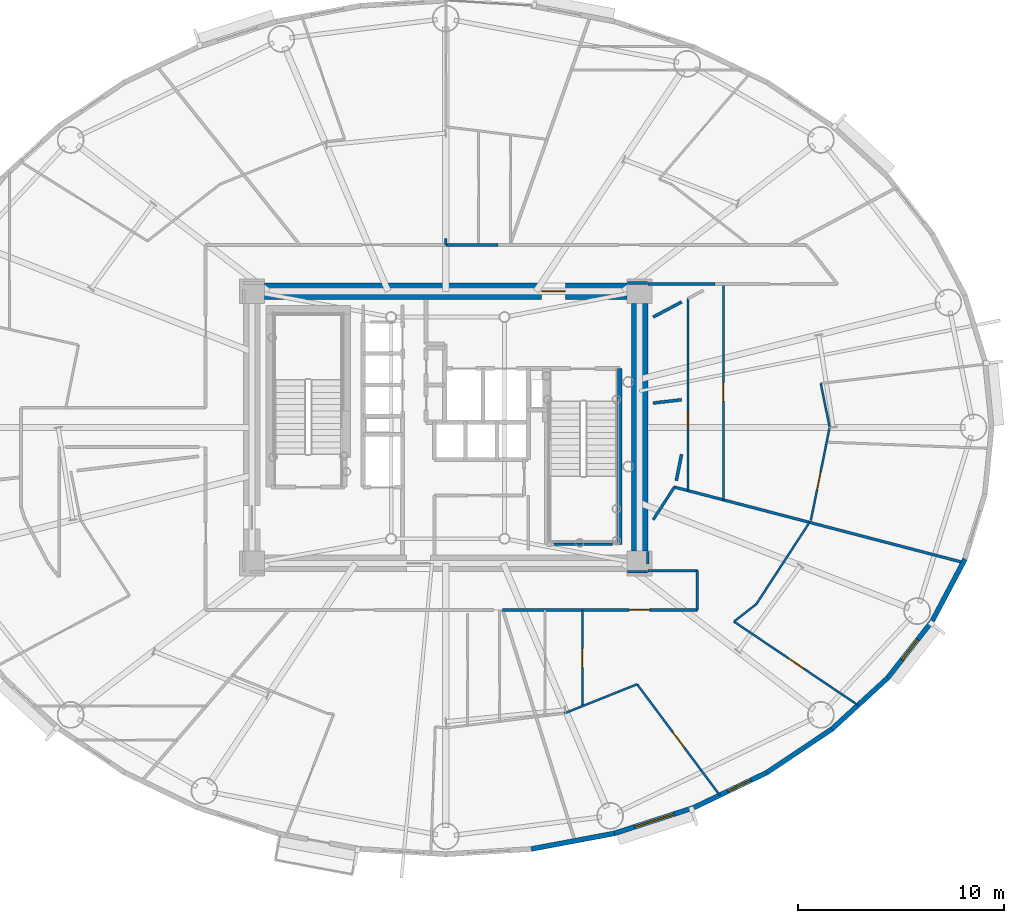
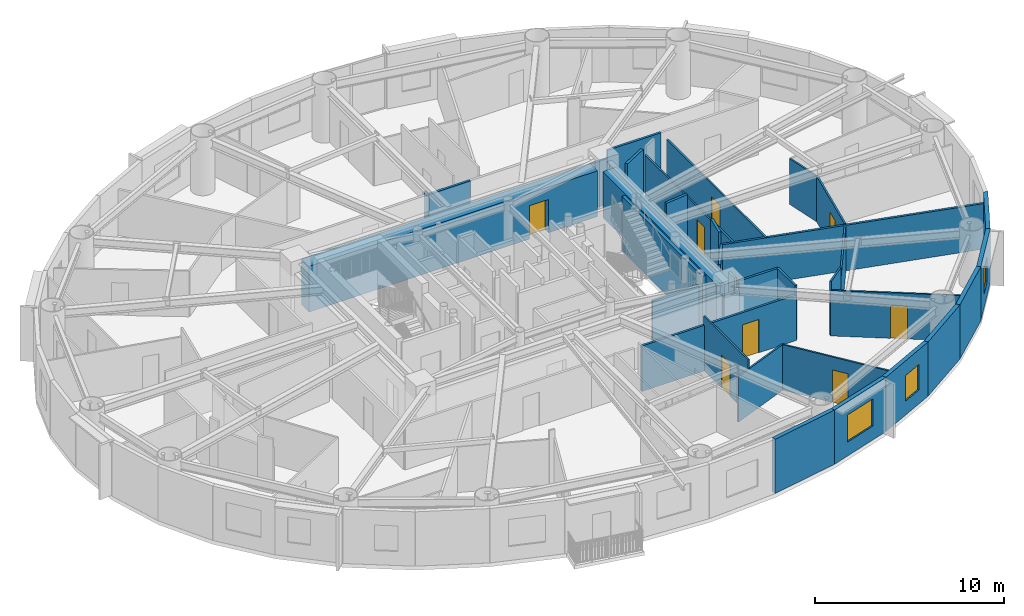
# One storey, part 11 of 19: 35 walls, 8 doors, 3 windows, 11 openings.
"""IFC4 building model written with IfcOpenShell, lengths in metres."""

import ifcopenshell
import ifcopenshell.guid

model = None  # the IFC model being written
_history = None  # IfcOwnerHistory: only IFC2X3 demands one
_inside = {}  # id of a spatial element -> (the spatial element, [elements in it])
_under = {}  # id of a project, library or spatial element -> (it, [spatial elements below it])
_declared = {}  # id of a project -> (the project, [libraries it declares])
_typed = {}  # id of a type object -> (the type object, [elements of that type])
_made_of = {}  # id of a material, layer set ... -> (it, [elements and type objects made of it])


def new_model(schema):
    """Start an empty IFC model of exactly this schema.

    Asked for "IFC4X3", IfcOpenShell would pick the latest addendum, in which some entities
    have other attributes; the version numbers below select the first issue.
    IFC2X3 requires an IfcOwnerHistory on every rooted entity: one is made here for all.
    """
    global model, _history
    if schema == "IFC4X3":
        model = ifcopenshell.file(schema_version=(4, 3, 0, 0))
    else:
        model = ifcopenshell.file(schema=schema)
    _inside.clear()
    _under.clear()
    _declared.clear()
    _typed.clear()
    _made_of.clear()
    _history = None
    if model.schema == "IFC2X3":
        org = make("IfcOrganization", Name="unknown")
        user = make(
            "IfcPersonAndOrganization",
            ThePerson=make("IfcPerson", FamilyName="unknown"),
            TheOrganization=org,
        )
        app = make(
            "IfcApplication",
            ApplicationDeveloper=org,
            Version="unknown",
            ApplicationFullName="unknown",
            ApplicationIdentifier="unknown",
        )
        _history = make(
            "IfcOwnerHistory",
            OwningUser=user,
            OwningApplication=app,
            ChangeAction="ADDED",
            CreationDate=0,
        )
    return model


def make(cls, **values):
    """One entity of the class cls with the attributes given. An attribute that is None is left unset."""
    return model.create_entity(
        cls, **{name: value for name, value in values.items() if value is not None}
    )


def rooted(cls, **values):
    """An entity with a GlobalId (a new one), such as an element, a storey or a relation."""
    return make(cls, GlobalId=ifcopenshell.guid.new(), OwnerHistory=_history, **values)


def si_unit(unit_type, name, prefix=None):
    """IfcSIUnit, for example si_unit("LENGTHUNIT", "METRE", prefix="MILLI")."""
    return make("IfcSIUnit", UnitType=unit_type, Prefix=prefix, Name=name)


def assignment(units):
    """IfcUnitAssignment: the units of a project."""
    return None if units is None else make("IfcUnitAssignment", Units=units)


def point(xyz):
    """IfcCartesianPoint."""
    return None if xyz is None else make("IfcCartesianPoint", Coordinates=xyz)


def direction(xyz):
    """IfcDirection."""
    return None if xyz is None else make("IfcDirection", DirectionRatios=xyz)


def frame(location, z_axis=None, x_axis=None):
    """IfcAxis2Placement3D, a coordinate frame: its origin and axes. An axis left out is left unset."""
    return make(
        "IfcAxis2Placement3D",
        Location=point(location),
        Axis=direction(z_axis),
        RefDirection=direction(x_axis),
    )


def frame_2d(location, x_axis=None):
    """IfcAxis2Placement2D, a coordinate frame in the plane: its origin and x axis."""
    return make(
        "IfcAxis2Placement2D", Location=point(location), RefDirection=direction(x_axis)
    )


def origin():
    """The frame at (0, 0, 0) with its axes left unset."""
    return frame((0.0, 0.0, 0.0))


def origin_2d():
    """The frame at (0, 0) in the plane with its x axis left unset."""
    return frame_2d((0.0, 0.0))


def place(relative_to, where):
    """IfcLocalPlacement: puts the frame where relative to a parent placement (None: the world)."""
    return make(
        "IfcLocalPlacement", PlacementRelTo=relative_to, RelativePlacement=where
    )


def context(
    kind, dimensions, precision=None, world=None, true_north=None, identifier=None
):
    """IfcGeometricRepresentationContext, for example the 3D "Model" context."""
    return make(
        "IfcGeometricRepresentationContext",
        ContextIdentifier=identifier,
        ContextType=kind,
        CoordinateSpaceDimension=dimensions,
        Precision=precision,
        WorldCoordinateSystem=world,
        TrueNorth=true_north,
    )


def subcontext(parent, identifier, kind, view, scale=None):
    """IfcGeometricRepresentationSubContext, for example "Body" below "Model"."""
    return make(
        "IfcGeometricRepresentationSubContext",
        ContextIdentifier=identifier,
        ContextType=kind,
        ParentContext=parent,
        TargetScale=scale,
        TargetView=view,
    )


def project(units=None, contexts=None):
    """IfcProject with its units and contexts."""
    return rooted(
        "IfcProject",
        Name="project",
        RepresentationContexts=contexts,
        UnitsInContext=assignment(units),
    )


def spatial(cls, under=None, at=None, **own):
    """A site, building, storey or space (cls), placed at a placement, below another one or the project."""
    s = rooted(cls, ObjectPlacement=at, **own)
    if under is not None:
        _under.setdefault(under.id(), (under, []))[1].append(s)
    return s


def profile(cls, at=None, kind="AREA", **sizes):
    """A parametric profile (cls). Its sizes go by their IFC names, for example OverallWidth=200.0."""
    return make(cls, ProfileType=kind, Position=at, **sizes)


def rectangle(**sizes):
    """IfcRectangleProfileDef."""
    return profile("IfcRectangleProfileDef", **sizes)


def extrude(swept, where, along, depth):
    """IfcExtrudedAreaSolid: the profile swept, set in the frame where, extruded along a direction by depth."""
    return make(
        "IfcExtrudedAreaSolid",
        SweptArea=swept,
        Position=where,
        ExtrudedDirection=direction(along),
        Depth=depth,
    )


def shape(context_of_items, identifier, shape_type, items):
    """IfcShapeRepresentation: the items that make up one representation, for example the "Body"."""
    return make(
        "IfcShapeRepresentation",
        ContextOfItems=context_of_items,
        RepresentationIdentifier=identifier,
        RepresentationType=shape_type,
        Items=items,
    )


def source(mapping_origin, context_of_items, identifier, shape_type, items):
    """IfcRepresentationMap: a shape defined once, which mapped items show again and again."""
    return make(
        "IfcRepresentationMap",
        MappingOrigin=mapping_origin,
        MappedRepresentation=shape(context_of_items, identifier, shape_type, items),
    )


def transform(
    local_origin,
    x_axis=None,
    y_axis=None,
    z_axis=None,
    scale=None,
    scale2=None,
    scale3=None,
    uniform=True,
):
    """IfcCartesianTransformationOperator3D, or its non-uniform kind. x_axis, y_axis, z_axis: its Axis1, 2, 3."""
    if uniform:
        return make(
            "IfcCartesianTransformationOperator3D",
            Axis1=direction(x_axis),
            Axis2=direction(y_axis),
            LocalOrigin=point(local_origin),
            Scale=scale,
            Axis3=direction(z_axis),
        )
    return make(
        "IfcCartesianTransformationOperator3DnonUniform",
        Axis1=direction(x_axis),
        Axis2=direction(y_axis),
        LocalOrigin=point(local_origin),
        Scale=scale,
        Axis3=direction(z_axis),
        Scale2=scale2,
        Scale3=scale3,
    )


def mapped(mapping_source, mapping_target):
    """IfcMappedItem: shows the shape of a source again, moved by a transform."""
    return make(
        "IfcMappedItem", MappingSource=mapping_source, MappingTarget=mapping_target
    )


def material(Name=None, Category=None):
    """IfcMaterial."""
    return make("IfcMaterial", Name=Name, Category=Category)


def layer(
    of_material, thickness, ventilated=None, Name=None, Category=None, Priority=None
):
    """IfcMaterialLayer: one layer of a wall or slab, of a material (None: an air gap)."""
    return make(
        "IfcMaterialLayer",
        Material=of_material,
        LayerThickness=thickness,
        IsVentilated=ventilated,
        Name=Name,
        Category=Category,
        Priority=Priority,
    )


def layer_set(layers, Name=None):
    """IfcMaterialLayerSet."""
    return make("IfcMaterialLayerSet", MaterialLayers=layers, LayerSetName=Name)


def made_of(thing, what):
    """Note that an element or type object is made of a material, layer set ...; save() writes the relation."""
    if what is not None:
        _made_of.setdefault(what.id(), (what, []))[1].append(thing)
    return thing


def type_object(cls, material=None, **own):
    """A type object (cls), such as IfcWallType, which elements share."""
    return made_of(rooted(cls, **own), material)


def element(
    cls,
    number,
    at=None,
    inside=None,
    cuts=None,
    type_object=None,
    material=None,
    context=None,
    identifier="Body",
    shape_type=None,
    held_by="IfcProductDefinitionShape",
    body=None,
    shapes=None,
    **own,
):
    """One element of the class cls, such as IfcWall. Its Tag is "e" and its number.

    at: its placement. inside: the storey or other place that contains it. cuts: it is an
    opening in that element (IfcRelVoidsElement). A single representation is given by context,
    identifier, shape_type and body (its items); several are given by shapes. held_by: the class
    of the entity that holds the representations. save() writes the other relations.
    """
    e = rooted(cls, Tag="e%d" % number, ObjectPlacement=at, **own)
    if body is not None:
        shapes = [shape(context, identifier, shape_type, body)]
    if shapes is not None:
        e.Representation = make(held_by, Representations=shapes)
    if inside is not None:
        _inside.setdefault(inside.id(), (inside, []))[1].append(e)
    if cuts is not None:
        rooted(
            "IfcRelVoidsElement", RelatingBuildingElement=cuts, RelatedOpeningElement=e
        )
    if type_object is not None:
        _typed.setdefault(type_object.id(), (type_object, []))[1].append(e)
    return made_of(e, material)


def fill(opening, filler):
    """IfcRelFillsElement: the door or window that sits in an opening."""
    return rooted(
        "IfcRelFillsElement",
        RelatingOpeningElement=opening,
        RelatedBuildingElement=filler,
    )


def aggregate(whole, parts):
    """IfcRelAggregates: a whole, such as a stair, and the parts it consists of."""
    return rooted("IfcRelAggregates", RelatingObject=whole, RelatedObjects=parts)


def save(model, path):
    """Write the relations noted so far, then the file.

    IfcRelAggregates (storeys below a building ...), IfcRelContainedInSpatialStructure (elements
    in a storey), IfcRelDefinesByType, IfcRelAssociatesMaterial and IfcRelDeclares: one each for
    every whole, place, type object, material and project.
    """
    for whole, parts in _under.values():
        aggregate(whole, parts)
    for where, things in _inside.values():
        rooted(
            "IfcRelContainedInSpatialStructure",
            RelatedElements=things,
            RelatingStructure=where,
        )
    for kind, things in _typed.values():
        rooted("IfcRelDefinesByType", RelatedObjects=things, RelatingType=kind)
    for what, things in _made_of.values():
        rooted("IfcRelAssociatesMaterial", RelatedObjects=things, RelatingMaterial=what)
    for by, libraries in _declared.values():
        rooted("IfcRelDeclares", RelatingContext=by, RelatedDefinitions=libraries)
    model.write(path)


model = new_model("IFC4")

# Units and contexts
model_context = context("Model", 3, precision=1e-05, world=origin(), true_north=direction((0.0, 1.0)))
body_context = subcontext(model_context, "Body", "Model", "MODEL_VIEW")
ifc_project = project(units=[si_unit("LENGTHUNIT", "METRE"), si_unit("AREAUNIT", "SQUARE_METRE"), si_unit("VOLUMEUNIT", "CUBIC_METRE"), si_unit("PLANEANGLEUNIT", "RADIAN"), si_unit("MASSUNIT", "GRAM", prefix="KILO")], contexts=[model_context])

# Site, building, storey
site_placement = place(None, origin())
site = spatial("IfcSite", under=ifc_project, at=site_placement, CompositionType="ELEMENT")
building_placement = place(site_placement, origin())
building = spatial("IfcBuilding", under=site, at=building_placement, Name="Linh Dai School and Residence Tower", CompositionType="ELEMENT")
storey_placement = place(building_placement, frame((0.0, 0.0, 174.89990234375)))
storey = spatial("IfcBuildingStorey", under=building, at=storey_placement, Name="L42", CompositionType="ELEMENT", Elevation=174.89990234375)

# Wall
ifc_material_1 = material(Name="Precast Concrete B45 (C35/45)", Category="concrete")
ifc_layer_1 = layer(ifc_material_1, 0.239990234375)
ifc_layer_set_1 = layer_set([ifc_layer_1], Name="Precast Concrete B45 (C35/45)")
wall_type_1 = type_object("IfcWallType", Name="EW-TC-240", PredefinedType="SOLIDWALL", material=ifc_layer_set_1)
wall_1_placement = place(storey_placement, frame((44.18896484375, 7.310546875, 0.0), z_axis=(0.0, 0.0, 1.0), x_axis=(-0.982788108205, -0.184736391573, 0.0)))
element("IfcWall", 1, at=wall_1_placement, inside=storey, type_object=wall_type_1, Name="L42 Terracotta Exterior Wall 32", PredefinedType="SOLIDWALL", context=body_context, shape_type="SweptSolid", body=[
    extrude(rectangle(XDim=4.114013671875, YDim=0.239990234375, at=frame_2d((2.05712890625, 0.0))), origin(), (0.0, 0.0, 1.0), 3.5),
])

# Wall, opening, window
wall_2_placement = place(storey_placement, frame((48.02978515625, 8.556396484375, 0.0), z_axis=(0.0, 0.0, 1.0), x_axis=(-0.951209870236, -0.30854462038, 0.0)))
wall_2 = element("IfcWall", 2, at=wall_2_placement, inside=storey, type_object=wall_type_1, Name="L42 Terracotta Exterior Wall 33", PredefinedType="SOLIDWALL", context=body_context, shape_type="SweptSolid", body=[
    extrude(rectangle(XDim=4.037841796875, YDim=0.239990234375, at=frame_2d((2.01904296875, 0.0))), origin(), (0.0, 0.0, 1.0), 3.5),
])
opening_1_placement = place(wall_2_placement, frame((1.01904296875, 0.0, 0.89990234375)))
opening_1 = element("IfcOpeningElement", 3, at=opening_1_placement, cuts=wall_2, Name="Opening W1", PredefinedType="OPENING", context=body_context, shape_type="SweptSolid", body=[
    extrude(rectangle(XDim=2.0, YDim=1.75, at=origin_2d()), frame((1.0, 0.1298828125, 0.875), z_axis=(0.0, -1.0, 0.0), x_axis=(1.0, 0.0, 0.0)), (0.0, 0.0, 1.0), 0.260009765625),
])
ifc_material_2 = material(Name="Double Low-E Insulated Glazing", Category="glass")
window_type_1 = type_object("IfcWindowType", Name="WN-RES-2000x1750", PartitioningType="DOUBLE_PANEL_VERTICAL", PredefinedType="WINDOW", material=ifc_material_2)
shared_shape_1 = source(origin(), body_context, "Body", "SweptSolid", [
    extrude(rectangle(XDim=2.0, YDim=1.75, at=origin_2d()), frame((1.0, 0.030029296875, 0.875), z_axis=(0.0, -1.0, 0.0), x_axis=(1.0, 0.0, 0.0)), (0.0, 0.0, 1.0), 0.06005859375),
])
window_1_placement = place(opening_1_placement, origin())
window_1 = element("IfcWindow", 4, at=window_1_placement, inside=storey, type_object=window_type_1, Name="L42 Exterior Window 33.1", OverallHeight=1.75, OverallWidth=2.0, PartitioningType="DOUBLE_PANEL_VERTICAL", PredefinedType="WINDOW", context=body_context, shape_type="MappedRepresentation", body=[
    mapped(shared_shape_1, transform((0.0, 0.0, 0.0), x_axis=(1.0, 0.0, 0.0), y_axis=(0.0, 1.0, 0.0), z_axis=(0.0, 0.0, 1.0), scale=1.0)),
])
fill(opening_1, window_1)

wall_3_placement = place(storey_placement, frame((51.5732421875, 10.2568359375, 0.0), z_axis=(0.0, 0.0, 1.0), x_axis=(-0.901564733809, -0.432644231155, 0.0)))
wall_3 = element("IfcWall", 5, at=wall_3_placement, inside=storey, type_object=wall_type_1, Name="L42 Terracotta Exterior Wall 34", PredefinedType="SOLIDWALL", context=body_context, shape_type="SweptSolid", body=[
    extrude(rectangle(XDim=3.930419921875, YDim=0.239990234375, at=frame_2d((1.96533203125, 0.0))), origin(), (0.0, 0.0, 1.0), 3.5),
])
opening_2_placement = place(wall_3_placement, frame((0.84814453125, 0.0, 0.89990234375)))
opening_2 = element("IfcOpeningElement", 6, at=opening_2_placement, cuts=wall_3, Name="Opening W3", PredefinedType="OPENING", context=body_context, shape_type="SweptSolid", body=[
    extrude(rectangle(XDim=1.25, YDim=1.64990234375, at=origin_2d()), frame((0.625, 0.1298828125, 0.824951171875), z_axis=(0.0, -1.0, 0.0), x_axis=(1.0, 0.0, 0.0)), (0.0, 0.0, 1.0), 0.260009765625),
])
window_type_2 = type_object("IfcWindowType", Name="WN-RES-1250x1650", PartitioningType="SINGLE_PANEL", PredefinedType="WINDOW", material=ifc_material_2)
shared_shape_2 = source(origin(), body_context, "Body", "SweptSolid", [
    extrude(rectangle(XDim=1.25, YDim=1.64990234375, at=origin_2d()), frame((0.625, 0.030029296875, 0.824951171875), z_axis=(0.0, -1.0, 0.0), x_axis=(1.0, 0.0, 0.0)), (0.0, 0.0, 1.0), 0.06005859375),
])
window_2_placement = place(opening_2_placement, origin())
window_2 = element("IfcWindow", 7, at=window_2_placement, inside=storey, type_object=window_type_2, Name="L42 Exterior Window 34.1", OverallHeight=1.64990234375, OverallWidth=1.25, PartitioningType="SINGLE_PANEL", PredefinedType="WINDOW", context=body_context, shape_type="MappedRepresentation", body=[
    mapped(shared_shape_2, transform((0.0, 0.0, 0.0), x_axis=(1.0, 0.0, 0.0), y_axis=(0.0, 1.0, 0.0), z_axis=(0.0, 0.0, 1.0), scale=1.0)),
])
fill(opening_2, window_2)

# Walls
wall_4_placement = place(storey_placement, frame((54.73193359375, 12.369384765625, 0.0), z_axis=(0.0, 0.0, 1.0), x_axis=(-0.831228998277, -0.555930168657, 0.0)))
element("IfcWall", 8, at=wall_4_placement, inside=storey, type_object=wall_type_1, Name="L42 Terracotta Exterior Wall 35", PredefinedType="SOLIDWALL", context=body_context, shape_type="SweptSolid", body=[
    extrude(rectangle(XDim=3.800048828125, YDim=0.239990234375, at=frame_2d((1.89990234375, 0.0))), origin(), (0.0, 0.0, 1.0), 3.5),
])
wall_5_placement = place(storey_placement, frame((57.42822265625, 14.841552734375, 0.0), z_axis=(0.0, 0.0, 1.0), x_axis=(-0.737076565834, -0.675809245349, 0.0)))
element("IfcWall", 9, at=wall_5_placement, inside=storey, type_object=wall_type_1, Name="L42 Terracotta Exterior Wall 36", PredefinedType="SOLIDWALL", context=body_context, shape_type="SweptSolid", body=[
    extrude(rectangle(XDim=3.658203125, YDim=0.239990234375, at=frame_2d((1.8291015625, 0.0))), origin(), (0.0, 0.0, 1.0), 3.5),
])

# Wall, opening, window
wall_6_placement = place(storey_placement, frame((59.595947265625, 17.611572265625, 0.0), z_axis=(0.0, 0.0, 1.0), x_axis=(-0.616287674549, -0.787521112224, 0.0)))
wall_6 = element("IfcWall", 10, at=wall_6_placement, inside=storey, type_object=wall_type_1, Name="L42 Terracotta Exterior Wall 37", PredefinedType="SOLIDWALL", context=body_context, shape_type="SweptSolid", body=[
    extrude(rectangle(XDim=3.517333984375, YDim=0.239990234375, at=frame_2d((1.7587890625, 0.0))), origin(), (0.0, 0.0, 1.0), 3.5),
])
opening_3_placement = place(wall_6_placement, frame((1.1337890625, 0.0, 0.89990234375)))
opening_3 = element("IfcOpeningElement", 11, at=opening_3_placement, cuts=wall_6, Name="Opening W3", PredefinedType="OPENING", context=body_context, shape_type="SweptSolid", body=[
    extrude(rectangle(XDim=1.25, YDim=1.64990234375, at=origin_2d()), frame((0.625, 0.1298828125, 0.824951171875), z_axis=(0.0, -1.0, 0.0), x_axis=(1.0, 0.0, 0.0)), (0.0, 0.0, 1.0), 0.260009765625),
])
window_3_placement = place(opening_3_placement, origin())
window_3 = element("IfcWindow", 12, at=window_3_placement, inside=storey, type_object=window_type_2, Name="L42 Dwelling Window U4206-BD2", OverallHeight=1.64990234375, OverallWidth=1.25, PartitioningType="SINGLE_PANEL", PredefinedType="WINDOW", context=body_context, shape_type="MappedRepresentation", body=[
    mapped(shared_shape_2, transform((0.0, 0.0, 0.0), x_axis=(1.0, 0.0, 0.0), y_axis=(0.0, 1.0, 0.0), z_axis=(0.0, 0.0, 1.0), scale=1.0)),
])
fill(opening_3, window_3)

# Wall
wall_7_placement = place(storey_placement, frame((61.1826171875, 20.611083984375, 0.0), z_axis=(0.0, 0.0, 1.0), x_axis=(-0.467586874938, -0.88394712194, 0.0)))
element("IfcWall", 13, at=wall_7_placement, inside=storey, type_object=wall_type_1, Name="L42 Terracotta Exterior Wall 38", PredefinedType="SOLIDWALL", context=body_context, shape_type="SweptSolid", body=[
    extrude(rectangle(XDim=3.393310546875, YDim=0.239990234375, at=frame_2d((1.69677734375, 0.0))), origin(), (0.0, 0.0, 1.0), 3.5),
])

# Wall, opening, door
ifc_material_3 = material(Name="Autoclaved Aerated Concrete Blockwork", Category="masonry")
ifc_layer_2 = layer(ifc_material_3, 0.135009765625)
ifc_layer_set_2 = layer_set([ifc_layer_2], Name="Autoclaved Aerated Concrete Blockwork")
wall_type_2 = type_object("IfcWallType", Name="IW-CORR-135-EI90", PredefinedType="PARTITIONING", material=ifc_layer_set_2)
wall_8_placement = place(storey_placement, frame((38.763671875, 18.14990234375, 0.0), z_axis=(0.0, 0.0, 1.0), x_axis=(1.0, 0.0, 0.0)))
wall_8 = element("IfcWall", 14, at=wall_8_placement, inside=storey, type_object=wall_type_2, Name="L42 Interior Partition Wall 065", PredefinedType="PARTITIONING", context=body_context, shape_type="SweptSolid", body=[
    extrude(rectangle(XDim=9.436279296875, YDim=0.135009765625, at=frame_2d((4.71826171875, 0.0))), origin(), (0.0, 0.0, 1.0), 2.93505859375),
])
opening_4_placement = place(wall_8_placement, frame((6.1298828125, 0.0, 0.0)))
opening_4 = element("IfcOpeningElement", 15, at=opening_4_placement, cuts=wall_8, Name="Opening D03", PredefinedType="OPENING", context=body_context, shape_type="SweptSolid", body=[
    extrude(rectangle(XDim=1.0, YDim=2.14990234375, at=origin_2d()), frame((0.5, 0.07763671875, 1.074951171875), z_axis=(0.0, -1.0, 0.0), x_axis=(1.0, 0.0, 0.0)), (0.0, 0.0, 1.0), 0.155029296875),
])
ifc_material_4 = material(Name="Fire-Rated Solid Timber Entrance Door", Category="wood")
door_type_1 = type_object("IfcDoorType", Name="DR-FLAT-1000x2150-FD60S", OperationType="NOTDEFINED", PredefinedType="DOOR", material=ifc_material_4)
shared_shape_3 = source(origin(), body_context, "Body", "SweptSolid", [
    extrude(rectangle(XDim=1.0, YDim=2.14990234375, at=origin_2d()), frame((0.5, 0.02490234375, 1.074951171875), z_axis=(0.0, -1.0, 0.0), x_axis=(1.0, 0.0, 0.0)), (0.0, 0.0, 1.0), 0.050048828125),
])
door_1_placement = place(opening_4_placement, origin())
door_1 = element("IfcDoor", 16, at=door_1_placement, inside=storey, type_object=door_type_1, Name="L42 U4206 Apartment Entrance Door", OperationType="SINGLE_SWING_LEFT", OverallHeight=2.14990234375, OverallWidth=1.0, PredefinedType="DOOR", context=body_context, shape_type="MappedRepresentation", body=[
    mapped(shared_shape_3, transform((0.0, 0.0, 0.0), x_axis=(1.0, 0.0, 0.0), y_axis=(0.0, 1.0, 0.0), z_axis=(0.0, 0.0, 1.0), scale=1.0)),
])
fill(opening_4, door_1)

# Walls
wall_9_placement = place(storey_placement, frame((45.800048828125, 20.050048828125, 0.0), z_axis=(0.0, 0.0, 1.0), x_axis=(1.0, 0.0, 0.0)))
element("IfcWall", 17, at=wall_9_placement, inside=storey, type_object=wall_type_2, Name="L42 Interior Partition Wall 080", PredefinedType="PARTITIONING", context=body_context, shape_type="SweptSolid", body=[
    extrude(rectangle(XDim=2.39990234375, YDim=0.135009765625, at=frame_2d((1.199951171875, 0.0))), origin(), (0.0, 0.0, 1.0), 3.5),
])
wall_10_placement = place(storey_placement, frame((47.090087890625, 24.104736328125, 0.0), z_axis=(0.0, 0.0, 1.0), x_axis=(0.967573213792, -0.252590728159, 0.0)))
element("IfcWall", 18, at=wall_10_placement, inside=storey, type_object=wall_type_2, Name="L42 Interior Partition Wall 084", PredefinedType="PARTITIONING", context=body_context, shape_type="SweptSolid", body=[
    extrude(rectangle(XDim=14.480712890625, YDim=0.135009765625, at=frame_2d((7.240234375, 0.0))), origin(), (0.0, 0.0, 1.0), 2.93505859375),
])
wall_11_placement = place(storey_placement, frame((48.199951171875, 18.14990234375, 0.0), z_axis=(0.0, 0.0, 1.0), x_axis=(0.0, 1.0, 0.0)))
element("IfcWall", 19, at=wall_11_placement, inside=storey, type_object=wall_type_2, Name="L42 Interior Partition Wall 086", PredefinedType="PARTITIONING", context=body_context, shape_type="SweptSolid", body=[
    extrude(rectangle(XDim=1.900146484375, YDim=0.135009765625, at=frame_2d((0.9501953125, 0.0))), origin(), (0.0, 0.0, 1.0), 3.5),
])
wall_12_placement = place(storey_placement, frame((44.080078125, 21.330078125, 0.0), z_axis=(0.0, 0.0, 1.0), x_axis=(-1.0, 0.0, 0.0)))
element("IfcWall", 20, at=wall_12_placement, inside=storey, type_object=wall_type_2, Name="L42 Interior Partition Wall 099", PredefinedType="PARTITIONING", context=body_context, shape_type="SweptSolid", body=[
    extrude(rectangle(XDim=2.820068359375, YDim=0.135009765625, at=frame_2d((1.41015625, 0.0))), origin(), (0.0, 0.0, 1.0), 3.03515625),
])
wall_13_placement = place(storey_placement, frame((36.01416015625, 35.85009765625, 0.0), z_axis=(0.0, 0.0, 1.0), x_axis=(1.0, 0.0, 0.0)))
element("IfcWall", 21, at=wall_13_placement, inside=storey, type_object=wall_type_2, Name="L42 Interior Partition Wall 105", PredefinedType="PARTITIONING", context=body_context, shape_type="SweptSolid", body=[
    extrude(rectangle(XDim=2.51708984375, YDim=0.135009765625, at=frame_2d((1.258544921875, 0.0))), origin(), (0.0, 0.0, 1.0), 2.93505859375),
])
wall_14_placement = place(storey_placement, frame((49.06103515625, 33.949951171875, 0.0), z_axis=(0.0, 0.0, 1.0), x_axis=(-1.0, 0.0, 0.0)))
element("IfcWall", 22, at=wall_14_placement, inside=storey, type_object=wall_type_2, Name="L42 Interior Partition Wall 106", PredefinedType="PARTITIONING", context=body_context, shape_type="SweptSolid", body=[
    extrude(rectangle(XDim=3.260986328125, YDim=0.135009765625, at=frame_2d((1.63037109375, 0.0))), origin(), (0.0, 0.0, 1.0), 3.5),
])
for number, where, z_axis, x_axis, name in (
    (23, (45.7900390625, 34.0, 0.0), (0.0, 0.0, 1.0), (-1.0, 0.0, 0.0), "L42 Interior Partition Wall 107"),
    (24, (44.81005859375, 20.0, 0.0), (0.0, 0.0, 1.0), (1.0, 0.0, 0.0), "L42 Interior Partition Wall 112"),
):
    element("IfcWall", number, at=place(storey_placement, frame(where, z_axis=z_axis, x_axis=x_axis)), inside=storey, type_object=wall_type_2, Name=name, PredefinedType="PARTITIONING", context=body_context, shape_type="SweptSolid", body=[
        extrude(rectangle(XDim=0.97998046875, YDim=0.135009765625, at=frame_2d((0.489990234375, 0.0))), origin(), (0.0, 0.0, 1.0), 2.93505859375),
    ])
wall_15_placement = place(storey_placement, frame((36.004150390625, 36.164794921875, 0.0), z_axis=(0.0, 0.0, 1.0), x_axis=(0.0, -1.0, 0.0)))
element("IfcWall", 25, at=wall_15_placement, inside=storey, type_object=wall_type_2, Name="L42 Interior Partition Wall 116", PredefinedType="PARTITIONING", context=body_context, shape_type="SweptSolid", body=[
    extrude(rectangle(XDim=0.314697265625, YDim=0.135009765625, at=frame_2d((0.1572265625, 0.0))), origin(), (0.0, 0.0, 1.0), 2.93505859375),
])
wall_16_placement = place(storey_placement, frame((45.800048828125, 20.37744140625, 0.0), z_axis=(0.0, 0.0, 1.0), x_axis=(0.0, 1.0, 0.0)))
element("IfcWall", 26, at=wall_16_placement, inside=storey, type_object=wall_type_2, Name="L42 Interior Partition Wall 118", PredefinedType="PARTITIONING", context=body_context, shape_type="SweptSolid", body=[
    extrude(rectangle(XDim=0.612548828125, YDim=0.135009765625, at=frame_2d((0.30615234375, 0.0))), origin(), (0.0, 0.0, 1.0), 3.5),
])
wall_17_placement = place(storey_placement, frame((46.06005859375, 22.521484375, 0.0), z_axis=(0.0, 0.0, 1.0), x_axis=(0.545329049498, 0.838222063521, 0.0)))
element("IfcWall", 27, at=wall_17_placement, inside=storey, type_object=wall_type_2, Name="L42 Interior Partition Wall 119", PredefinedType="PARTITIONING", context=body_context, shape_type="SweptSolid", body=[
    extrude(rectangle(XDim=1.888916015625, YDim=0.135009765625, at=frame_2d((0.9443359375, 0.0))), origin(), (0.0, 0.0, 1.0), 2.93505859375),
])
ifc_layer_3 = layer(ifc_material_3, 0.14990234375)
ifc_layer_set_3 = layer_set([ifc_layer_3], Name="Autoclaved Aerated Concrete Blockwork")
wall_type_3 = type_object("IfcWallType", Name="IW-SCH-150-EI60", PredefinedType="PARTITIONING", material=ifc_layer_set_3)
wall_18_placement = place(storey_placement, frame((47.43310546875, 28.33984375, 0.0), z_axis=(0.0, 0.0, 1.0), x_axis=(-0.993204743367, -0.116380143293, 0.0)))
element("IfcWall", 28, at=wall_18_placement, inside=storey, type_object=wall_type_3, Name="L42 Interior Partition Wall 120", PredefinedType="PARTITIONING", context=body_context, shape_type="SweptSolid", body=[
    extrude(rectangle(XDim=1.38232421875, YDim=0.14990234375, at=frame_2d((0.691162109375, 0.0))), origin(), (0.0, 0.0, 1.0), 3.5),
])
wall_19_placement = place(storey_placement, frame((46.06005859375, 32.34912109375, 0.0), z_axis=(0.0, 0.0, 1.0), x_axis=(0.882988187469, 0.469395207465, 0.0)))
element("IfcWall", 29, at=wall_19_placement, inside=storey, type_object=wall_type_3, Name="L42 Interior Partition Wall 121", PredefinedType="PARTITIONING", context=body_context, shape_type="SweptSolid", body=[
    extrude(rectangle(XDim=1.56201171875, YDim=0.14990234375, at=frame_2d((0.781005859375, 0.0))), origin(), (0.0, 0.0, 1.0), 3.5),
])
wall_20_placement = place(storey_placement, frame((47.18212890625, 24.419189453125, 0.0), z_axis=(0.0, 0.0, 1.0), x_axis=(0.198178705385, 0.980165904698, 0.0)))
element("IfcWall", 30, at=wall_20_placement, inside=storey, type_object=wall_type_3, Name="L42 Interior Partition Wall 122", PredefinedType="PARTITIONING", context=body_context, shape_type="SweptSolid", body=[
    extrude(rectangle(XDim=1.297119140625, YDim=0.14990234375, at=frame_2d((0.6484375, 0.0))), origin(), (0.0, 0.0, 1.0), 3.5),
])
ifc_material_5 = material(Name="Concrete B45 (C35/45)", Category="concrete")
ifc_layer_4 = layer(ifc_material_5, 0.199951171875)
ifc_layer_set_4 = layer_set([ifc_layer_4], Name="Concrete B45 (C35/45)")
wall_type_4 = type_object("IfcWallType", Name="IW-SHAFT-200-EI120", PredefinedType="PARTITIONING", material=ifc_layer_set_4)
wall_21_placement = place(storey_placement, frame((44.43994140625, 21.330078125, 0.0), z_axis=(0.0, 0.0, 1.0), x_axis=(0.0, 1.0, 0.0)))
element("IfcWall", 31, at=wall_21_placement, inside=storey, type_object=wall_type_4, Name="L42 Interior Partition Wall 078", PredefinedType="PARTITIONING", context=body_context, shape_type="SweptSolid", body=[
    extrude(rectangle(XDim=8.52001953125, YDim=0.199951171875, at=frame_2d((4.260009765625, 0.0))), origin(), (0.0, 0.0, 1.0), 3.5),
])
ifc_material_6 = material(Name="Gypsum Plasterboard Acoustic Stud Partition", Category="masonry")
ifc_layer_5 = layer(ifc_material_6, 0.10009765625)
ifc_layer_set_5 = layer_set([ifc_layer_5], Name="Gypsum Plasterboard Acoustic Stud Partition")
wall_type_5 = type_object("IfcWallType", Name="IW-UNIT-100", PredefinedType="PARTITIONING", material=ifc_layer_set_5)
wall_22_placement = place(storey_placement, frame((41.75390625, 13.132568359375, 0.0), z_axis=(0.0, 0.0, 1.0), x_axis=(0.928786664236, 0.370614803182, 0.0)))
element("IfcWall", 32, at=wall_22_placement, inside=storey, type_object=wall_type_5, Name="L42 Interior Partition Wall 074", PredefinedType="PARTITIONING", context=body_context, shape_type="SweptSolid", body=[
    extrude(rectangle(XDim=3.79833984375, YDim=0.10009765625, at=frame_2d((1.899169921875, 0.0))), origin(), (0.0, 0.0, 1.0), 2.93505859375),
])

# Wall, opening, door
wall_23_placement = place(storey_placement, frame((42.626953125, 13.48095703125, 0.0), z_axis=(0.0, 0.0, 1.0), x_axis=(0.0, 1.0, 0.0)))
wall_23 = element("IfcWall", 33, at=wall_23_placement, inside=storey, type_object=wall_type_5, Name="L42 Interior Partition Wall 077", PredefinedType="PARTITIONING", context=body_context, shape_type="SweptSolid", body=[
    extrude(rectangle(XDim=4.6689453125, YDim=0.10009765625, at=frame_2d((2.33447265625, 0.0))), origin(), (0.0, 0.0, 1.0), 3.5),
])
opening_5_placement = place(wall_23_placement, frame((1.884521484375, 0.0, 0.0)))
opening_5 = element("IfcOpeningElement", 34, at=opening_5_placement, cuts=wall_23, Name="Opening D05", PredefinedType="OPENING", context=body_context, shape_type="SweptSolid", body=[
    extrude(rectangle(XDim=0.89990234375, YDim=2.10009765625, at=origin_2d()), frame((0.449951171875, 0.06005859375, 1.050048828125), z_axis=(0.0, -1.0, 0.0), x_axis=(1.0, 0.0, 0.0)), (0.0, 0.0, 1.0), 0.1201171875),
])
ifc_material_7 = material(Name="Engineered Timber Internal Door", Category="wood")
door_type_2 = type_object("IfcDoorType", Name="DR-INT-900x2100", OperationType="NOTDEFINED", PredefinedType="DOOR", material=ifc_material_7)
shared_shape_4 = source(origin(), body_context, "Body", "SweptSolid", [
    extrude(rectangle(XDim=0.89990234375, YDim=2.10009765625, at=origin_2d()), frame((0.449951171875, 0.02490234375, 1.050048828125), z_axis=(0.0, -1.0, 0.0), x_axis=(1.0, 0.0, 0.0)), (0.0, 0.0, 1.0), 0.050048828125),
])
door_2_placement = place(opening_5_placement, origin())
door_2 = element("IfcDoor", 35, at=door_2_placement, inside=storey, type_object=door_type_2, Name="L42 Apartment U4206 Kitchen Door", OperationType="SINGLE_SWING_RIGHT", OverallHeight=2.10009765625, OverallWidth=0.89990234375, PredefinedType="DOOR", context=body_context, shape_type="MappedRepresentation", body=[
    mapped(shared_shape_4, transform((0.0, 0.0, 0.0), x_axis=(1.0, 0.0, 0.0), y_axis=(0.0, 1.0, 0.0), z_axis=(0.0, 0.0, 1.0), scale=1.0)),
])
fill(opening_5, door_2)

wall_24_placement = place(storey_placement, frame((45.28173828125, 14.540283203125, 0.0), z_axis=(0.0, 0.0, 1.0), x_axis=(0.597407497301, -0.801937829366, 0.0)))
wall_24 = element("IfcWall", 36, at=wall_24_placement, inside=storey, type_object=wall_type_5, Name="L42 Interior Partition Wall 079", PredefinedType="PARTITIONING", context=body_context, shape_type="SweptSolid", body=[
    extrude(rectangle(XDim=6.713134765625, YDim=0.10009765625, at=frame_2d((3.3564453125, 0.0))), origin(), (0.0, 0.0, 1.0), 2.93505859375),
])
opening_6_placement = place(wall_24_placement, frame((2.906494140625, 0.0, 0.0)))
opening_6 = element("IfcOpeningElement", 37, at=opening_6_placement, cuts=wall_24, Name="Opening D05", PredefinedType="OPENING", context=body_context, shape_type="SweptSolid", body=[
    extrude(rectangle(XDim=0.89990234375, YDim=2.10009765625, at=origin_2d()), frame((0.449951171875, 0.06005859375, 1.050048828125), z_axis=(0.0, -1.0, 0.0), x_axis=(1.0, 0.0, 0.0)), (0.0, 0.0, 1.0), 0.1201171875),
])
door_3_placement = place(opening_6_placement, origin())
door_3 = element("IfcDoor", 38, at=door_3_placement, inside=storey, type_object=door_type_2, Name="L42 Apartment U4206 Principal Bedroom 1 Door", OperationType="SINGLE_SWING_RIGHT", OverallHeight=2.10009765625, OverallWidth=0.89990234375, PredefinedType="DOOR", context=body_context, shape_type="MappedRepresentation", body=[
    mapped(shared_shape_4, transform((0.0, 0.0, 0.0), x_axis=(1.0, 0.0, 0.0), y_axis=(0.0, 1.0, 0.0), z_axis=(0.0, 0.0, 1.0), scale=1.0)),
])
fill(opening_6, door_3)

wall_25_placement = place(storey_placement, frame((47.749267578125, 23.9326171875, 0.0), z_axis=(0.0, 0.0, 1.0), x_axis=(0.0, 1.0, 0.0)))
wall_25 = element("IfcWall", 39, at=wall_25_placement, inside=storey, type_object=wall_type_5, Name="L42 Interior Partition Wall 085", PredefinedType="PARTITIONING", context=body_context, shape_type="SweptSolid", body=[
    extrude(rectangle(XDim=9.314453125, YDim=0.10009765625, at=frame_2d((4.6572265625, 0.0))), origin(), (0.0, 0.0, 1.0), 2.93505859375),
])
opening_7_placement = place(wall_25_placement, frame((3.030029296875, 0.0, 0.0)))
opening_7 = element("IfcOpeningElement", 40, at=opening_7_placement, cuts=wall_25, Name="Opening D08", PredefinedType="OPENING", context=body_context, shape_type="SweptSolid", body=[
    extrude(rectangle(XDim=0.760009765625, YDim=2.10009765625, at=origin_2d()), frame((0.3798828125, 0.06005859375, 1.050048828125), z_axis=(0.0, -1.0, 0.0), x_axis=(1.0, 0.0, 0.0)), (0.0, 0.0, 1.0), 0.1201171875),
])
ifc_material_8 = material(Name="Engineered Timber Closet and Study Door", Category="wood")
door_type_3 = type_object("IfcDoorType", Name="DR-CMP-760x2100", OperationType="NOTDEFINED", PredefinedType="DOOR", material=ifc_material_8)
shared_shape_5 = source(origin(), body_context, "Body", "SweptSolid", [
    extrude(rectangle(XDim=0.760009765625, YDim=2.10009765625, at=origin_2d()), frame((0.3798828125, 0.02490234375, 1.050048828125), z_axis=(0.0, -1.0, 0.0), x_axis=(1.0, 0.0, 0.0)), (0.0, 0.0, 1.0), 0.050048828125),
])
door_4_placement = place(opening_7_placement, origin())
door_4 = element("IfcDoor", 41, at=door_4_placement, inside=storey, type_object=door_type_3, Name="L42 Apartment U4207 Bathroom 1 Door", OperationType="SINGLE_SWING_RIGHT", OverallHeight=2.10009765625, OverallWidth=0.760009765625, PredefinedType="DOOR", context=body_context, shape_type="MappedRepresentation", body=[
    mapped(shared_shape_5, transform((0.0, 0.0, 0.0), x_axis=(1.0, 0.0, 0.0), y_axis=(0.0, 1.0, 0.0), z_axis=(0.0, 0.0, 1.0), scale=1.0)),
])
fill(opening_7, door_4)

wall_26_placement = place(storey_placement, frame((49.46435546875, 23.48486328125, 0.0), z_axis=(0.0, 0.0, 1.0), x_axis=(0.0, 1.0, 0.0)))
wall_26 = element("IfcWall", 42, at=wall_26_placement, inside=storey, type_object=wall_type_5, Name="L42 Interior Partition Wall 088", PredefinedType="PARTITIONING", context=body_context, shape_type="SweptSolid", body=[
    extrude(rectangle(XDim=10.465087890625, YDim=0.10009765625, at=frame_2d((5.232421875, 0.0))), origin(), (0.0, 0.0, 1.0), 2.93505859375),
])
opening_8_placement = place(wall_26_placement, frame((4.78271484375, 0.0, 0.0)))
opening_8 = element("IfcOpeningElement", 43, at=opening_8_placement, cuts=wall_26, Name="Opening D05", PredefinedType="OPENING", context=body_context, shape_type="SweptSolid", body=[
    extrude(rectangle(XDim=0.89990234375, YDim=2.10009765625, at=origin_2d()), frame((0.449951171875, 0.06005859375, 1.050048828125), z_axis=(0.0, -1.0, 0.0), x_axis=(1.0, 0.0, 0.0)), (0.0, 0.0, 1.0), 0.1201171875),
])
door_5_placement = place(opening_8_placement, origin())
door_5 = element("IfcDoor", 44, at=door_5_placement, inside=storey, type_object=door_type_2, Name="L42 Apartment U4207 Kitchen Door", OperationType="SINGLE_SWING_LEFT", OverallHeight=2.10009765625, OverallWidth=0.89990234375, PredefinedType="DOOR", context=body_context, shape_type="MappedRepresentation", body=[
    mapped(shared_shape_4, transform((0.0, 0.0, 0.0), x_axis=(1.0, 0.0, 0.0), y_axis=(0.0, 1.0, 0.0), z_axis=(0.0, 0.0, 1.0), scale=1.0)),
])
fill(opening_8, door_5)

# Wall
wall_27_placement = place(storey_placement, frame((49.979248046875, 17.580078125, 0.0), z_axis=(0.0, 0.0, 1.0), x_axis=(0.787344176355, 0.6165137046, 0.0)))
element("IfcWall", 45, at=wall_27_placement, inside=storey, type_object=wall_type_5, Name="L42 Interior Partition Wall 089", PredefinedType="PARTITIONING", context=body_context, shape_type="SweptSolid", body=[
    extrude(rectangle(XDim=1.377685546875, YDim=0.10009765625, at=frame_2d((0.68896484375, 0.0))), origin(), (0.0, 0.0, 1.0), 3.5),
])

# Wall, opening, door
wall_28_placement = place(storey_placement, frame((49.979248046875, 17.580078125, 0.0), z_axis=(0.0, 0.0, 1.0), x_axis=(0.829313188428, -0.55878406876, 0.0)))
wall_28 = element("IfcWall", 46, at=wall_28_placement, inside=storey, type_object=wall_type_5, Name="L42 Interior Partition Wall 090", PredefinedType="PARTITIONING", context=body_context, shape_type="SweptSolid", body=[
    extrude(rectangle(XDim=7.258544921875, YDim=0.10009765625, at=frame_2d((3.62939453125, 0.0))), origin(), (0.0, 0.0, 1.0), 2.93505859375),
])
opening_9_placement = place(wall_28_placement, frame((3.17919921875, 0.0, 0.0)))
opening_9 = element("IfcOpeningElement", 47, at=opening_9_placement, cuts=wall_28, Name="Opening D05", PredefinedType="OPENING", context=body_context, shape_type="SweptSolid", body=[
    extrude(rectangle(XDim=0.89990234375, YDim=2.10009765625, at=origin_2d()), frame((0.449951171875, 0.06005859375, 1.050048828125), z_axis=(0.0, -1.0, 0.0), x_axis=(1.0, 0.0, 0.0)), (0.0, 0.0, 1.0), 0.1201171875),
])
door_6_placement = place(opening_9_placement, origin())
door_6 = element("IfcDoor", 48, at=door_6_placement, inside=storey, type_object=door_type_2, Name="L42 Apartment U4206 Principal Bedroom 2 Door", OperationType="SINGLE_SWING_LEFT", OverallHeight=2.10009765625, OverallWidth=0.89990234375, PredefinedType="DOOR", context=body_context, shape_type="MappedRepresentation", body=[
    mapped(shared_shape_4, transform((0.0, 0.0, 0.0), x_axis=(1.0, 0.0, 0.0), y_axis=(0.0, 1.0, 0.0), z_axis=(0.0, 0.0, 1.0), scale=1.0)),
])
fill(opening_9, door_6)

# Wall
wall_29_placement = place(storey_placement, frame((51.06396484375, 18.429443359375, 0.0), z_axis=(0.0, 0.0, 1.0), x_axis=(0.545362062942, 0.838200584767, 0.0)))
element("IfcWall", 49, at=wall_29_placement, inside=storey, type_object=wall_type_5, Name="L42 Interior Partition Wall 091", PredefinedType="PARTITIONING", context=body_context, shape_type="SweptSolid", body=[
    extrude(rectangle(XDim=4.7294921875, YDim=0.10009765625, at=frame_2d((2.36474609375, 0.0))), origin(), (0.0, 0.0, 1.0), 2.93505859375),
])

# Wall, opening, door
wall_30_placement = place(storey_placement, frame((53.708740234375, 22.494140625, 0.0), z_axis=(0.0, 0.0, 1.0), x_axis=(0.198239863178, 0.980153537282, 0.0)))
wall_30 = element("IfcWall", 50, at=wall_30_placement, inside=storey, type_object=wall_type_5, Name="L42 Interior Partition Wall 095", PredefinedType="PARTITIONING", context=body_context, shape_type="SweptSolid", body=[
    extrude(rectangle(XDim=4.597412109375, YDim=0.10009765625, at=frame_2d((2.298828125, 0.0))), origin(), (0.0, 0.0, 1.0), 2.93505859375),
])
opening_10_placement = place(wall_30_placement, frame((1.50390625, 0.0, 0.0)))
opening_10 = element("IfcOpeningElement", 51, at=opening_10_placement, cuts=wall_30, Name="Opening D05", PredefinedType="OPENING", context=body_context, shape_type="SweptSolid", body=[
    extrude(rectangle(XDim=0.89990234375, YDim=2.10009765625, at=origin_2d()), frame((0.449951171875, 0.06005859375, 1.050048828125), z_axis=(0.0, -1.0, 0.0), x_axis=(1.0, 0.0, 0.0)), (0.0, 0.0, 1.0), 0.1201171875),
])
door_7_placement = place(opening_10_placement, origin())
door_7 = element("IfcDoor", 52, at=door_7_placement, inside=storey, type_object=door_type_2, Name="L42 Apartment U4207 Principal Bedroom 1 Door", OperationType="SINGLE_SWING_LEFT", OverallHeight=2.10009765625, OverallWidth=0.89990234375, PredefinedType="DOOR", context=body_context, shape_type="MappedRepresentation", body=[
    mapped(shared_shape_4, transform((0.0, 0.0, 0.0), x_axis=(1.0, 0.0, 0.0), y_axis=(0.0, 1.0, 0.0), z_axis=(0.0, 0.0, 1.0), scale=1.0)),
])
fill(opening_10, door_7)

# Wall
wall_31_placement = place(storey_placement, frame((54.18896484375, 29.131591796875, 0.0), z_axis=(0.0, 0.0, 1.0), x_axis=(0.198252946245, -0.98015089109, 0.0)))
element("IfcWall", 53, at=wall_31_placement, inside=storey, type_object=wall_type_5, Name="L42 Interior Partition Wall 096", PredefinedType="PARTITIONING", context=body_context, shape_type="SweptSolid", body=[
    extrude(rectangle(XDim=2.1748046875, YDim=0.10009765625, at=frame_2d((1.08740234375, 0.0))), origin(), (0.0, 0.0, 1.0), 2.93505859375),
])

# Wall, opening, door
ifc_material_9 = material(Name="Concrete B60 (C50/60)", Category="concrete")
ifc_layer_6 = layer(ifc_material_9, 0.800048828125)
ifc_layer_set_6 = layer_set([ifc_layer_6], Name="Concrete B60 (C50/60)")
wall_type_6 = type_object("IfcWallType", Name="WL-CORE800", PredefinedType="SHEAR", material=ifc_layer_set_6)
wall_32_placement = place(storey_placement, frame((27.199951171875, 33.60009765625, 0.0), z_axis=(0.0, 0.0, 1.0), x_axis=(1.0, 0.0, 0.0)))
wall_32 = element("IfcWall", 54, at=wall_32_placement, inside=storey, type_object=wall_type_6, Name="L42 Central Core Shear Wall N", PredefinedType="SHEAR", context=body_context, shape_type="SweptSolid", body=[
    extrude(rectangle(XDim=17.60009765625, YDim=0.800048828125, at=frame_2d((8.800048828125, 0.0))), origin(), (0.0, 0.0, 1.0), 2.9501953125),
])
opening_11_placement = place(wall_32_placement, frame((13.449951171875, 0.0, 0.0)))
opening_11 = element("IfcOpeningElement", 55, at=opening_11_placement, cuts=wall_32, Name="Opening D02", PredefinedType="OPENING", context=body_context, shape_type="SweptSolid", body=[
    extrude(rectangle(XDim=1.14990234375, YDim=2.14990234375, at=origin_2d()), frame((0.574951171875, 0.41015625, 1.074951171875), z_axis=(0.0, -1.0, 0.0), x_axis=(1.0, 0.0, 0.0)), (0.0, 0.0, 1.0), 0.820068359375),
])
ifc_material_10 = material(Name="Fire-Rated Glazed Steel Lobby Door", Category="steel")
door_type_4 = type_object("IfcDoorType", Name="DR-LOBBY-1150x2150-FD90S", OperationType="NOTDEFINED", PredefinedType="DOOR", material=ifc_material_10)
shared_shape_6 = source(origin(), body_context, "Body", "SweptSolid", [
    extrude(rectangle(XDim=1.14990234375, YDim=2.14990234375, at=origin_2d()), frame((0.574951171875, 0.02490234375, 1.074951171875), z_axis=(0.0, -1.0, 0.0), x_axis=(1.0, 0.0, 0.0)), (0.0, 0.0, 1.0), 0.050048828125),
])
door_8_placement = place(opening_11_placement, origin())
door_8 = element("IfcDoor", 56, at=door_8_placement, inside=storey, type_object=door_type_4, Name="L42 Firefighting Lobby Door", OperationType="SINGLE_SWING_RIGHT", OverallHeight=2.14990234375, OverallWidth=1.14990234375, PredefinedType="DOOR", context=body_context, shape_type="MappedRepresentation", body=[
    mapped(shared_shape_6, transform((0.0, 0.0, 0.0), x_axis=(1.0, 0.0, 0.0), y_axis=(0.0, 1.0, 0.0), z_axis=(0.0, 0.0, 1.0), scale=1.0)),
])
fill(opening_11, door_8)

# Wall
wall_33_placement = place(storey_placement, frame((45.39990234375, 33.0, 0.0), z_axis=(0.0, 0.0, 1.0), x_axis=(0.0, -1.0, 0.0)))
element("IfcWall", 57, at=wall_33_placement, inside=storey, type_object=wall_type_6, Name="L42 Central Core Shear Wall E", PredefinedType="SHEAR", context=body_context, shape_type="SweptSolid", body=[
    extrude(rectangle(XDim=12.0, YDim=0.800048828125, at=frame_2d((6.0, 0.0))), origin(), (0.0, 0.0, 1.0), 2.9501953125),
])

save(model, "model.ifc")
